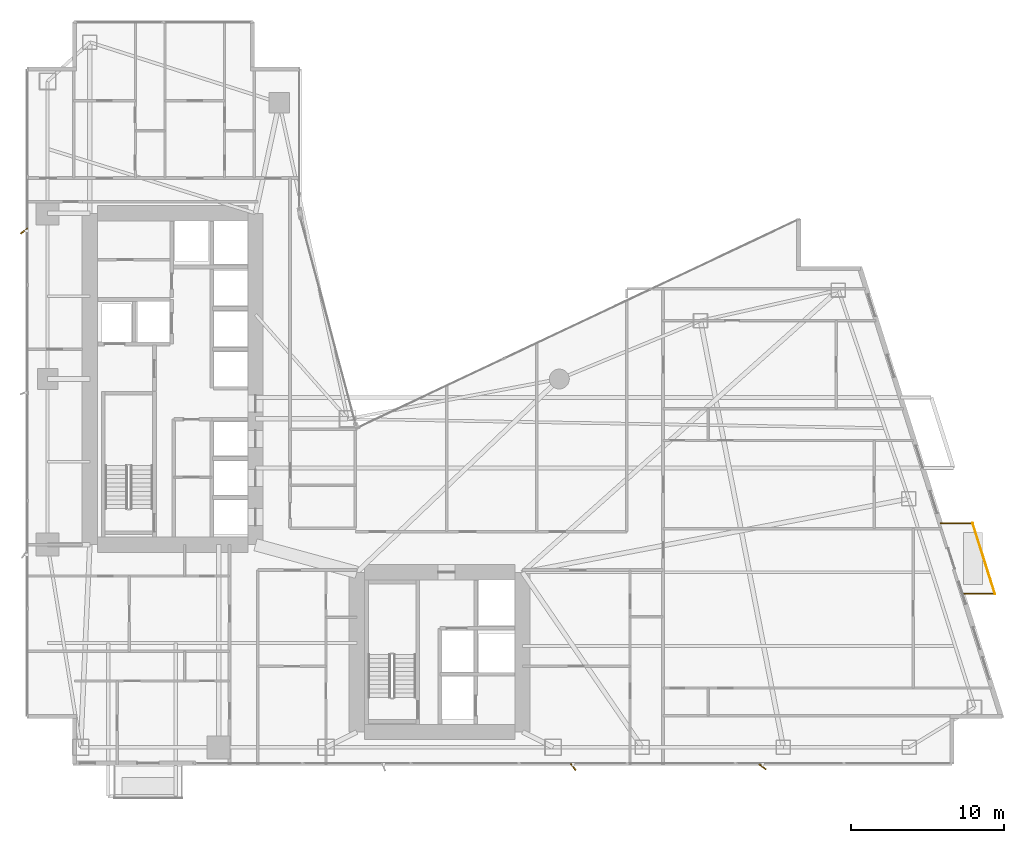
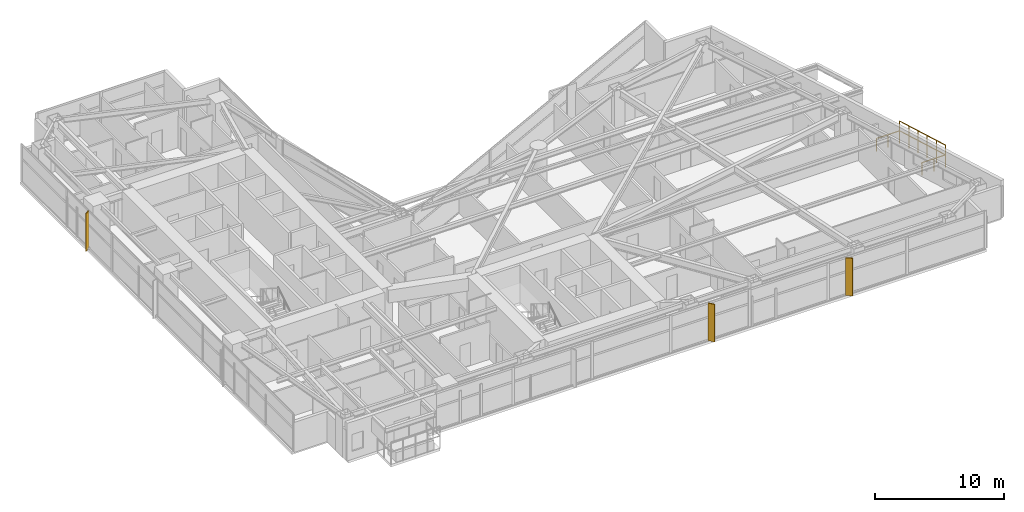
# One storey, part 29 of 29: 3 shading devices, 2 railings.
"""IFC4 building model written with IfcOpenShell, lengths in metres."""

from ifc_helpers import new_model, si_unit, direction, frame, origin, origin_2d, place, context, subcontext, project, spatial, rectangle, circle, extrude, material, type_object, element, save


model = new_model("IFC4")

# Units and contexts
model_context = context("Model", 3, precision=1e-05, world=origin(), true_north=direction((0.0, 1.0)))
body_context = subcontext(model_context, "Body", "Model", "MODEL_VIEW")
ifc_project = project(units=[si_unit("LENGTHUNIT", "METRE"), si_unit("AREAUNIT", "SQUARE_METRE"), si_unit("VOLUMEUNIT", "CUBIC_METRE"), si_unit("PLANEANGLEUNIT", "RADIAN"), si_unit("MASSUNIT", "GRAM", prefix="KILO")], contexts=[model_context])

# Site, building, storey
site_placement = place(None, origin())
site = spatial("IfcSite", under=ifc_project, at=site_placement, CompositionType="ELEMENT")
building_placement = place(site_placement, origin())
building = spatial("IfcBuilding", under=site, at=building_placement, Name="Calvorn Quay Hotel", CompositionType="ELEMENT")
storey_placement = place(building_placement, frame((0.0, 0.0, 62.199951171875)))
storey = spatial("IfcBuildingStorey", under=building, at=storey_placement, Name="L14", CompositionType="ELEMENT", Elevation=62.199951171875)

# Railings
ifc_material_1 = material(Name="Pale Anodised Aluminium and Laminated Glass", Category="aluminium")
railing_type = type_object("IfcRailingType", Name="RLG-BALUSTRADE-1200", PredefinedType="BALUSTRADE", material=ifc_material_1)
railing_1_placement = place(storey_placement, frame((61.089111328125, 13.60009765625, 0.0)))
element("IfcRailing", 1, at=railing_1_placement, inside=storey, type_object=railing_type, Name="Tree Balcony Perimeter Balustrade L14-BALC-E", PredefinedType="BALUSTRADE", context=body_context, shape_type="SweptSolid", body=[
    extrude(circle(Radius=0.02392578125, at=origin_2d()), frame((0.0, 0.0, 1.17578125), z_axis=(1.0, 0.0, 0.0), x_axis=(0.0, 1.0, 0.0)), (0.0, 0.0, 1.0), 2.099853515625),
    extrude(circle(Radius=0.02392578125, at=origin_2d()), frame((2.099853515625, 0.0, 1.17578125), z_axis=(-0.300450487966, 0.953797412599, 0.0), x_axis=(-0.953797412599, -0.300450487966, 0.0)), (0.0, 0.0, 1.0), 4.82275390625),
    extrude(circle(Radius=0.02392578125, at=origin_2d()), frame((0.65087890625, 4.599853515625, 1.17578125), z_axis=(-1.0, 0.0, 0.0), x_axis=(0.0, -1.0, 0.0)), (0.0, 0.0, 1.0), 2.10009765625),
    extrude(circle(Radius=0.02099609375, at=origin_2d()), origin(), (0.0, 0.0, 1.0), 1.15185546875),
    extrude(circle(Radius=0.02099609375, at=origin_2d()), frame((1.0498046875, 0.0, 0.0)), (0.0, 0.0, 1.0), 1.15185546875),
    extrude(circle(Radius=0.02099609375, at=origin_2d()), frame((2.099853515625, 0.0, 0.0)), (0.0, 0.0, 1.0), 1.15185546875),
    extrude(circle(Radius=0.02099609375, at=origin_2d()), frame((1.81005859375, 0.919921875, 0.0)), (0.0, 0.0, 1.0), 1.15185546875),
    extrude(circle(Radius=0.02099609375, at=origin_2d()), frame((1.520263671875, 1.83984375, 0.0)), (0.0, 0.0, 1.0), 1.15185546875),
    extrude(circle(Radius=0.02099609375, at=origin_2d()), frame((1.23046875, 2.760009765625, 0.0)), (0.0, 0.0, 1.0), 1.15185546875),
    extrude(circle(Radius=0.02099609375, at=origin_2d()), frame((0.940673828125, 3.679931640625, 0.0)), (0.0, 0.0, 1.0), 1.15185546875),
    extrude(circle(Radius=0.02099609375, at=origin_2d()), frame((0.65087890625, 4.599853515625, 0.0)), (0.0, 0.0, 1.0), 1.15185546875),
    extrude(circle(Radius=0.02099609375, at=origin_2d()), frame((-0.399169921875, 4.599853515625, 0.0)), (0.0, 0.0, 1.0), 1.15185546875),
    extrude(circle(Radius=0.02099609375, at=origin_2d()), frame((-1.44921875, 4.599853515625, 0.0)), (0.0, 0.0, 1.0), 1.15185546875),
])
railing_2_placement = place(storey_placement, frame((63.18896484375, 13.60009765625, 0.900146484375)))
element("IfcRailing", 2, at=railing_2_placement, inside=storey, type_object=railing_type, Name="Planter Kerb High Safety Screen L14-BALC-E", PredefinedType="BALUSTRADE", context=body_context, shape_type="SweptSolid", body=[
    extrude(circle(Radius=0.02392578125, at=origin_2d()), frame((0.0, 0.0, 1.19580078125), z_axis=(-0.300450487966, 0.953797412599, 0.0), x_axis=(-0.953797412599, -0.300450487966, 0.0)), (0.0, 0.0, 1.0), 4.82275390625),
    extrude(circle(Radius=0.02099609375, at=origin_2d()), origin(), (0.0, 0.0, 1.0), 1.171875),
    extrude(circle(Radius=0.02099609375, at=origin_2d()), frame((-0.289794921875, 0.919921875, 0.0)), (0.0, 0.0, 1.0), 1.171875),
    extrude(circle(Radius=0.02099609375, at=origin_2d()), frame((-0.57958984375, 1.83984375, 0.0)), (0.0, 0.0, 1.0), 1.171875),
    extrude(circle(Radius=0.02099609375, at=origin_2d()), frame((-0.869384765625, 2.760009765625, 0.0)), (0.0, 0.0, 1.0), 1.171875),
    extrude(circle(Radius=0.02099609375, at=origin_2d()), frame((-1.1591796875, 3.679931640625, 0.0)), (0.0, 0.0, 1.0), 1.171875),
    extrude(circle(Radius=0.02099609375, at=origin_2d()), frame((-1.448974609375, 4.599853515625, 0.0)), (0.0, 0.0, 1.0), 1.171875),
])

# Shading devices
ifc_material_2 = material(Name="Champagne Bronze Anodised Aluminium 6063-T6", Category="aluminium")
shading_device_type_1 = type_object("IfcShadingDeviceType", Name="SHD-FIN-A2", PredefinedType="USERDEFINED", material=ifc_material_2)
for number, where, z_axis, x_axis, name in (
    (3, (-0.080078125, 37.25, 0.0), (0.0, 0.0, 1.0), (0.788010753607, 0.615661475326, 0.0), "Diagonal Sun-Shading Fin L14-W03"),
    (4, (35.699951171875, 2.320068359375, 0.0), (0.0, 0.0, 1.0), (-0.615661475326, 0.788010753607, 0.0), "Diagonal Sun-Shading Fin L14-S02"),
):
    element("IfcShadingDevice", number, at=place(storey_placement, frame(where, z_axis=z_axis, x_axis=x_axis)), inside=storey, type_object=shading_device_type_1, Name=name, ObjectType="FIN", PredefinedType="USERDEFINED", context=body_context, shape_type="SweptSolid", body=[
        extrude(rectangle(XDim=0.550048828125, YDim=0.080078125, at=origin_2d()), origin(), (0.0, 0.0, 1.0), 3.56005859375),
    ])
ifc_material_3 = material(Name="Champagne Bronze Anodised Aluminium 6063-T6", Category="aluminium")
shading_device_type_2 = type_object("IfcShadingDeviceType", Name="SHD-FIN-A3", PredefinedType="USERDEFINED", material=ifc_material_3)
shading_device_placement = place(storey_placement, frame((48.050048828125, 2.320068359375, 0.0), z_axis=(0.0, 0.0, 1.0), x_axis=(-0.809016994375, 0.587785252292, 0.0)))
element("IfcShadingDevice", 5, at=shading_device_placement, inside=storey, type_object=shading_device_type_2, Name="Diagonal Sun-Shading Fin L14-S03", ObjectType="FIN", PredefinedType="USERDEFINED", context=body_context, shape_type="SweptSolid", body=[
    extrude(rectangle(XDim=0.550048828125, YDim=0.080078125, at=origin_2d()), origin(), (0.0, 0.0, 1.0), 3.56005859375),
])

save(model, "model.ifc")
